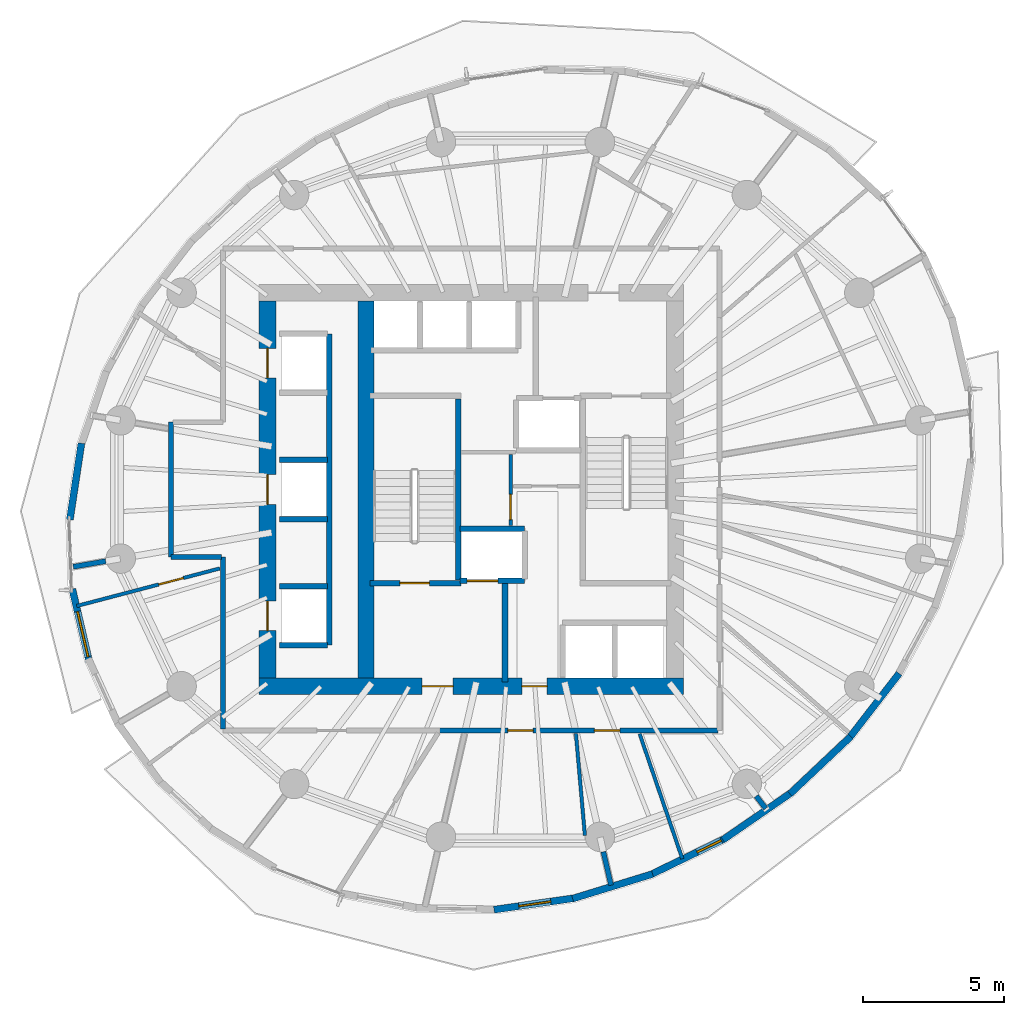
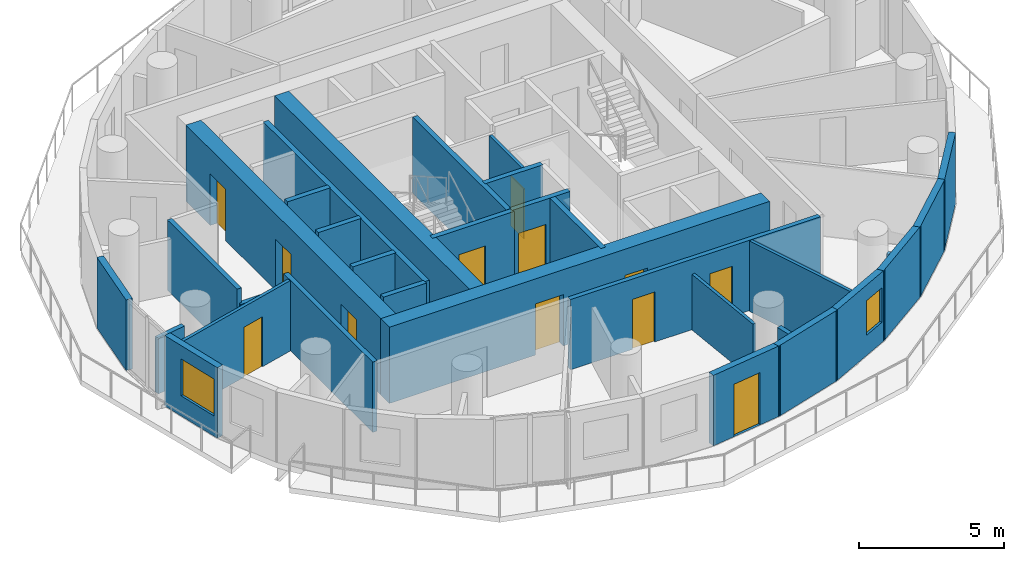
# One storey, part 6 of 14: 32 walls, 12 doors, 2 windows, 14 openings.
"""IFC4 building model written with IfcOpenShell, lengths in metres."""

import ifcopenshell
import ifcopenshell.guid

model = None  # the IFC model being written
_history = None  # IfcOwnerHistory: only IFC2X3 demands one
_inside = {}  # id of a spatial element -> (the spatial element, [elements in it])
_under = {}  # id of a project, library or spatial element -> (it, [spatial elements below it])
_declared = {}  # id of a project -> (the project, [libraries it declares])
_typed = {}  # id of a type object -> (the type object, [elements of that type])
_made_of = {}  # id of a material, layer set ... -> (it, [elements and type objects made of it])


def new_model(schema):
    """Start an empty IFC model of exactly this schema.

    Asked for "IFC4X3", IfcOpenShell would pick the latest addendum, in which some entities
    have other attributes; the version numbers below select the first issue.
    IFC2X3 requires an IfcOwnerHistory on every rooted entity: one is made here for all.
    """
    global model, _history
    if schema == "IFC4X3":
        model = ifcopenshell.file(schema_version=(4, 3, 0, 0))
    else:
        model = ifcopenshell.file(schema=schema)
    _inside.clear()
    _under.clear()
    _declared.clear()
    _typed.clear()
    _made_of.clear()
    _history = None
    if model.schema == "IFC2X3":
        org = make("IfcOrganization", Name="unknown")
        user = make(
            "IfcPersonAndOrganization",
            ThePerson=make("IfcPerson", FamilyName="unknown"),
            TheOrganization=org,
        )
        app = make(
            "IfcApplication",
            ApplicationDeveloper=org,
            Version="unknown",
            ApplicationFullName="unknown",
            ApplicationIdentifier="unknown",
        )
        _history = make(
            "IfcOwnerHistory",
            OwningUser=user,
            OwningApplication=app,
            ChangeAction="ADDED",
            CreationDate=0,
        )
    return model


def make(cls, **values):
    """One entity of the class cls with the attributes given. An attribute that is None is left unset."""
    return model.create_entity(
        cls, **{name: value for name, value in values.items() if value is not None}
    )


def rooted(cls, **values):
    """An entity with a GlobalId (a new one), such as an element, a storey or a relation."""
    return make(cls, GlobalId=ifcopenshell.guid.new(), OwnerHistory=_history, **values)


def si_unit(unit_type, name, prefix=None):
    """IfcSIUnit, for example si_unit("LENGTHUNIT", "METRE", prefix="MILLI")."""
    return make("IfcSIUnit", UnitType=unit_type, Prefix=prefix, Name=name)


def assignment(units):
    """IfcUnitAssignment: the units of a project."""
    return None if units is None else make("IfcUnitAssignment", Units=units)


def point(xyz):
    """IfcCartesianPoint."""
    return None if xyz is None else make("IfcCartesianPoint", Coordinates=xyz)


def direction(xyz):
    """IfcDirection."""
    return None if xyz is None else make("IfcDirection", DirectionRatios=xyz)


def frame(location, z_axis=None, x_axis=None):
    """IfcAxis2Placement3D, a coordinate frame: its origin and axes. An axis left out is left unset."""
    return make(
        "IfcAxis2Placement3D",
        Location=point(location),
        Axis=direction(z_axis),
        RefDirection=direction(x_axis),
    )


def frame_2d(location, x_axis=None):
    """IfcAxis2Placement2D, a coordinate frame in the plane: its origin and x axis."""
    return make(
        "IfcAxis2Placement2D", Location=point(location), RefDirection=direction(x_axis)
    )


def origin():
    """The frame at (0, 0, 0) with its axes left unset."""
    return frame((0.0, 0.0, 0.0))


def place(relative_to, where):
    """IfcLocalPlacement: puts the frame where relative to a parent placement (None: the world)."""
    return make(
        "IfcLocalPlacement", PlacementRelTo=relative_to, RelativePlacement=where
    )


def context(
    kind, dimensions, precision=None, world=None, true_north=None, identifier=None
):
    """IfcGeometricRepresentationContext, for example the 3D "Model" context."""
    return make(
        "IfcGeometricRepresentationContext",
        ContextIdentifier=identifier,
        ContextType=kind,
        CoordinateSpaceDimension=dimensions,
        Precision=precision,
        WorldCoordinateSystem=world,
        TrueNorth=true_north,
    )


def subcontext(parent, identifier, kind, view, scale=None):
    """IfcGeometricRepresentationSubContext, for example "Body" below "Model"."""
    return make(
        "IfcGeometricRepresentationSubContext",
        ContextIdentifier=identifier,
        ContextType=kind,
        ParentContext=parent,
        TargetScale=scale,
        TargetView=view,
    )


def project(units=None, contexts=None):
    """IfcProject with its units and contexts."""
    return rooted(
        "IfcProject",
        Name="project",
        RepresentationContexts=contexts,
        UnitsInContext=assignment(units),
    )


def spatial(cls, under=None, at=None, **own):
    """A site, building, storey or space (cls), placed at a placement, below another one or the project."""
    s = rooted(cls, ObjectPlacement=at, **own)
    if under is not None:
        _under.setdefault(under.id(), (under, []))[1].append(s)
    return s


def profile(cls, at=None, kind="AREA", **sizes):
    """A parametric profile (cls). Its sizes go by their IFC names, for example OverallWidth=200.0."""
    return make(cls, ProfileType=kind, Position=at, **sizes)


def rectangle(**sizes):
    """IfcRectangleProfileDef."""
    return profile("IfcRectangleProfileDef", **sizes)


def extrude(swept, where, along, depth):
    """IfcExtrudedAreaSolid: the profile swept, set in the frame where, extruded along a direction by depth."""
    return make(
        "IfcExtrudedAreaSolid",
        SweptArea=swept,
        Position=where,
        ExtrudedDirection=direction(along),
        Depth=depth,
    )


def shape(context_of_items, identifier, shape_type, items):
    """IfcShapeRepresentation: the items that make up one representation, for example the "Body"."""
    return make(
        "IfcShapeRepresentation",
        ContextOfItems=context_of_items,
        RepresentationIdentifier=identifier,
        RepresentationType=shape_type,
        Items=items,
    )


def material(Name=None, Category=None):
    """IfcMaterial."""
    return make("IfcMaterial", Name=Name, Category=Category)


def layer(
    of_material, thickness, ventilated=None, Name=None, Category=None, Priority=None
):
    """IfcMaterialLayer: one layer of a wall or slab, of a material (None: an air gap)."""
    return make(
        "IfcMaterialLayer",
        Material=of_material,
        LayerThickness=thickness,
        IsVentilated=ventilated,
        Name=Name,
        Category=Category,
        Priority=Priority,
    )


def layer_set(layers, Name=None):
    """IfcMaterialLayerSet."""
    return make("IfcMaterialLayerSet", MaterialLayers=layers, LayerSetName=Name)


def made_of(thing, what):
    """Note that an element or type object is made of a material, layer set ...; save() writes the relation."""
    if what is not None:
        _made_of.setdefault(what.id(), (what, []))[1].append(thing)
    return thing


def type_object(cls, material=None, **own):
    """A type object (cls), such as IfcWallType, which elements share."""
    return made_of(rooted(cls, **own), material)


def element(
    cls,
    number,
    at=None,
    inside=None,
    cuts=None,
    type_object=None,
    material=None,
    context=None,
    identifier="Body",
    shape_type=None,
    held_by="IfcProductDefinitionShape",
    body=None,
    shapes=None,
    **own,
):
    """One element of the class cls, such as IfcWall. Its Tag is "e" and its number.

    at: its placement. inside: the storey or other place that contains it. cuts: it is an
    opening in that element (IfcRelVoidsElement). A single representation is given by context,
    identifier, shape_type and body (its items); several are given by shapes. held_by: the class
    of the entity that holds the representations. save() writes the other relations.
    """
    e = rooted(cls, Tag="e%d" % number, ObjectPlacement=at, **own)
    if body is not None:
        shapes = [shape(context, identifier, shape_type, body)]
    if shapes is not None:
        e.Representation = make(held_by, Representations=shapes)
    if inside is not None:
        _inside.setdefault(inside.id(), (inside, []))[1].append(e)
    if cuts is not None:
        rooted(
            "IfcRelVoidsElement", RelatingBuildingElement=cuts, RelatedOpeningElement=e
        )
    if type_object is not None:
        _typed.setdefault(type_object.id(), (type_object, []))[1].append(e)
    return made_of(e, material)


def fill(opening, filler):
    """IfcRelFillsElement: the door or window that sits in an opening."""
    return rooted(
        "IfcRelFillsElement",
        RelatingOpeningElement=opening,
        RelatedBuildingElement=filler,
    )


def aggregate(whole, parts):
    """IfcRelAggregates: a whole, such as a stair, and the parts it consists of."""
    return rooted("IfcRelAggregates", RelatingObject=whole, RelatedObjects=parts)


def save(model, path):
    """Write the relations noted so far, then the file.

    IfcRelAggregates (storeys below a building ...), IfcRelContainedInSpatialStructure (elements
    in a storey), IfcRelDefinesByType, IfcRelAssociatesMaterial and IfcRelDeclares: one each for
    every whole, place, type object, material and project.
    """
    for whole, parts in _under.values():
        aggregate(whole, parts)
    for where, things in _inside.values():
        rooted(
            "IfcRelContainedInSpatialStructure",
            RelatedElements=things,
            RelatingStructure=where,
        )
    for kind, things in _typed.values():
        rooted("IfcRelDefinesByType", RelatedObjects=things, RelatingType=kind)
    for what, things in _made_of.values():
        rooted("IfcRelAssociatesMaterial", RelatedObjects=things, RelatingMaterial=what)
    for by, libraries in _declared.values():
        rooted("IfcRelDeclares", RelatingContext=by, RelatedDefinitions=libraries)
    model.write(path)


model = new_model("IFC4")

# Units and contexts
model_context = context("Model", 3, precision=1e-05, world=origin(), true_north=direction((0.0, 1.0)))
body_context = subcontext(model_context, "Body", "Model", "MODEL_VIEW")
ifc_project = project(units=[si_unit("LENGTHUNIT", "METRE"), si_unit("AREAUNIT", "SQUARE_METRE"), si_unit("VOLUMEUNIT", "CUBIC_METRE"), si_unit("PLANEANGLEUNIT", "RADIAN"), si_unit("MASSUNIT", "GRAM", prefix="KILO")], contexts=[model_context])

# Site, building, storey
site_placement = place(None, origin())
site = spatial("IfcSite", under=ifc_project, at=site_placement, CompositionType="ELEMENT")
building_placement = place(site_placement, origin())
building = spatial("IfcBuilding", under=site, at=building_placement, Name="Veldorim Arch Residences", CompositionType="ELEMENT")
storey_placement = place(building_placement, frame((0.0, 0.0, 129.760009765625)))
storey = spatial("IfcBuildingStorey", under=building, at=storey_placement, Name="L38", CompositionType="ELEMENT", Elevation=129.760009765625)

# Wall, opening, door
ifc_material_1 = material(Name="Acoustic Gypsum Board", Category="gypsum")
ifc_layer_1 = layer(ifc_material_1, 0.125, Name="Acoustic Stud Room Partition Wall 125")
ifc_layer_set_1 = layer_set([ifc_layer_1], Name="Acoustic Gypsum Board")
wall_type_1 = type_object("IfcWallType", Name="Acoustic Stud Room Partition Wall 125", PredefinedType="PARTITIONING", material=ifc_layer_set_1)
wall_1_placement = place(storey_placement, frame((31.64990234375, 22.719970703125, 0.0), z_axis=(0.0, 0.0, 1.0), x_axis=(0.0, 1.0, 0.0)))
wall_1 = element("IfcWall", 1, at=wall_1_placement, inside=storey, type_object=wall_type_1, Name="L38 interior wall WL-CA-L38-1", PredefinedType="PARTITIONING", context=body_context, shape_type="SweptSolid", body=[
    extrude(rectangle(XDim=2.52001953125, YDim=0.125, at=frame_2d((1.260009765625, 0.0))), origin(), (0.0, 0.0, 1.0), 2.955078125),
])
opening_1_placement = place(wall_1_placement, frame((0.2099609375, 0.0, 0.0)))
opening_1 = element("IfcOpeningElement", 2, at=opening_1_placement, cuts=wall_1, Name="Opening DR-SVC", PredefinedType="OPENING", context=body_context, shape_type="SweptSolid", body=[
    extrude(rectangle(XDim=0.89990234375, YDim=2.10009765625, at=frame_2d((0.449951171875, 1.050048828125))), frame((0.0, 0.072509765625, 0.0), z_axis=(0.0, -1.0, 0.0), x_axis=(1.0, 0.0, 0.0)), (0.0, 0.0, 1.0), 0.14501953125),
])
ifc_material_2 = material(Name="Fire-Rated Steel", Category="steel")
door_type_1 = type_object("IfcDoorType", Name="Riser, Shelter & Plant Room Rated Steel Door 900x2100", OperationType="SINGLE_SWING_LEFT", PredefinedType="DOOR", material=ifc_material_2)
door_1_placement = place(opening_1_placement, origin())
door_1 = element("IfcDoor", 3, at=door_1_placement, inside=storey, type_object=door_type_1, Name="L38 interior door DR-L38-CA1", OperationType="SINGLE_SWING_LEFT", OverallHeight=2.10009765625, OverallWidth=0.89990234375, PredefinedType="DOOR", context=body_context, shape_type="SweptSolid", body=[
    extrude(rectangle(XDim=0.89990234375, YDim=2.10009765625, at=frame_2d((0.449951171875, 1.050048828125))), frame((0.0, 0.02490234375, 0.0), z_axis=(0.0, -1.0, 0.0), x_axis=(1.0, 0.0, 0.0)), (0.0, 0.0, 1.0), 0.050048828125),
])
fill(opening_1, door_1)

# Walls
wall_2_placement = place(storey_placement, frame((37.760498046875, 10.858154296875, 0.0), z_axis=(0.0, 0.0, 1.0), x_axis=(-0.323447862149, 0.946245993635, 0.0)))
element("IfcWall", 4, at=wall_2_placement, inside=storey, type_object=wall_type_1, Name="L38 interior wall WL-RES-L38-015", PredefinedType="PARTITIONING", context=body_context, shape_type="SweptSolid", body=[
    extrude(rectangle(XDim=4.700927734375, YDim=0.125, at=frame_2d((2.3505859375, 0.0))), origin(), (0.0, 0.0, 1.0), 2.955078125),
])
wall_3_placement = place(storey_placement, frame((34.293212890625, 11.68896484375, 0.0), z_axis=(0.0, 0.0, 1.0), x_axis=(-0.088065804539, 0.996114659098, 0.0)))
element("IfcWall", 5, at=wall_3_placement, inside=storey, type_object=wall_type_1, Name="L38 interior wall WL-RES-L38-016", PredefinedType="PARTITIONING", context=body_context, shape_type="SweptSolid", body=[
    extrude(rectangle(XDim=3.6455078125, YDim=0.125, at=frame_2d((1.82275390625, 0.0))), origin(), (0.0, 0.0, 1.0), 2.335693359375),
])

# Wall, opening, door
wall_4_placement = place(storey_placement, frame((16.20947265625, 19.85400390625, 0.0), z_axis=(0.0, 0.0, 1.0), x_axis=(0.967214885104, 0.253959378707, 0.0)))
wall_4 = element("IfcWall", 6, at=wall_4_placement, inside=storey, type_object=wall_type_1, Name="L38 interior wall WL-RES-L38-032", PredefinedType="PARTITIONING", context=body_context, shape_type="SweptSolid", body=[
    extrude(rectangle(XDim=5.26708984375, YDim=0.125, at=frame_2d((2.633544921875, 0.0))), origin(), (0.0, 0.0, 1.0), 2.955078125),
])
opening_2_placement = place(wall_4_placement, frame((3.023681640625, 0.0, 0.0)))
opening_2 = element("IfcOpeningElement", 7, at=opening_2_placement, cuts=wall_4, Name="Opening DR-INT", PredefinedType="OPENING", context=body_context, shape_type="SweptSolid", body=[
    extrude(rectangle(XDim=0.89990234375, YDim=2.10009765625, at=frame_2d((0.449951171875, 1.050048828125))), frame((0.0, 0.072509765625, 0.0), z_axis=(0.0, -1.0, 0.0), x_axis=(1.0, 0.0, 0.0)), (0.0, 0.0, 1.0), 0.14501953125),
])
ifc_material_3 = material(Name="Engineered Timber", Category="wood")
door_type_2 = type_object("IfcDoorType", Name="Apartment Internal Room Timber Door 900x2100", OperationType="SINGLE_SWING_LEFT", PredefinedType="DOOR", material=ifc_material_3)
door_2_placement = place(opening_2_placement, origin())
door_2 = element("IfcDoor", 8, at=door_2_placement, inside=storey, type_object=door_type_2, Name="L38 interior door DR-RES-L38-019", OperationType="SINGLE_SWING_LEFT", OverallHeight=2.10009765625, OverallWidth=0.89990234375, PredefinedType="DOOR", context=body_context, shape_type="SweptSolid", body=[
    extrude(rectangle(XDim=0.89990234375, YDim=2.10009765625, at=frame_2d((0.449951171875, 1.050048828125))), frame((0.0, 0.02490234375, 0.0), z_axis=(0.0, -1.0, 0.0), x_axis=(1.0, 0.0, 0.0)), (0.0, 0.0, 1.0), 0.050048828125),
])
fill(opening_2, door_2)

# Walls
ifc_material_4 = material(Name="Lightweight Masonry Block & Gypsum", Category="masonry")
ifc_layer_2 = layer(ifc_material_4, 0.179931640625, Name="Compartment & Corridor Fire-Rated Party Wall 180")
ifc_layer_set_2 = layer_set([ifc_layer_2], Name="Lightweight Masonry Block & Gypsum")
wall_type_2 = type_object("IfcWallType", Name="Compartment & Corridor Fire-Rated Party Wall 180", PredefinedType="PARTITIONING", material=ifc_layer_set_2)
wall_5_placement = place(storey_placement, frame((17.24169921875, 21.44921875, 0.0), z_axis=(0.0, 0.0, 1.0), x_axis=(-0.98537549431, -0.170396992969, 0.0)))
element("IfcWall", 9, at=wall_5_placement, inside=storey, type_object=wall_type_2, Name="L38 interior wall WL-PIER-L38-09", PredefinedType="PARTITIONING", context=body_context, shape_type="SweptSolid", body=[
    extrude(rectangle(XDim=1.167724609375, YDim=0.179931640625, at=frame_2d((0.583984375, 0.0))), origin(), (0.0, 0.0, 1.0), 2.335693359375),
])
wall_6_placement = place(storey_placement, frame((34.950439453125, 11.11083984375, 0.0), z_axis=(0.0, 0.0, 1.0), x_axis=(0.223107064029, -0.974793946422, 0.0)))
element("IfcWall", 10, at=wall_6_placement, inside=storey, type_object=wall_type_2, Name="L38 interior wall WL-PIER-L38-13", PredefinedType="PARTITIONING", context=body_context, shape_type="SweptSolid", body=[
    extrude(rectangle(XDim=1.22119140625, YDim=0.179931640625, at=frame_2d((0.610595703125, 0.0))), origin(), (0.0, 0.0, 1.0), 2.335693359375),
])
wall_7_placement = place(storey_placement, frame((40.387939453125, 13.091552734375, 0.0), z_axis=(0.0, 0.0, 1.0), x_axis=(0.609498830183, -0.792786967605, 0.0)))
element("IfcWall", 11, at=wall_7_placement, inside=storey, type_object=wall_type_2, Name="L38 interior wall WL-PIER-L38-14", PredefinedType="PARTITIONING", context=body_context, shape_type="SweptSolid", body=[
    extrude(rectangle(XDim=0.556884765625, YDim=0.179931640625, at=frame_2d((0.2783203125, 0.0))), origin(), (0.0, 0.0, 1.0), 2.335693359375),
])

# Wall, openings, doors
wall_8_placement = place(storey_placement, frame((39.02001953125, 15.419921875, 0.0), z_axis=(0.0, 0.0, 1.0), x_axis=(-1.0, 0.0, 0.0)))
wall_8 = element("IfcWall", 12, at=wall_8_placement, inside=storey, type_object=wall_type_2, Name="L38 interior wall WL-RES-L38-002", PredefinedType="PARTITIONING", context=body_context, shape_type="SweptSolid", body=[
    extrude(rectangle(XDim=9.92236328125, YDim=0.179931640625, at=frame_2d((4.961181640625, 0.0))), origin(), (0.0, 0.0, 1.0), 2.955078125),
])
opening_3_placement = place(wall_8_placement, frame((3.4873046875, 0.0, 0.0)))
opening_3 = element("IfcOpeningElement", 13, at=opening_3_placement, cuts=wall_8, Name="Opening DR-INT", PredefinedType="OPENING", context=body_context, shape_type="SweptSolid", body=[
    extrude(rectangle(XDim=0.89990234375, YDim=2.10009765625, at=frame_2d((0.449951171875, 1.050048828125))), frame((0.0, 0.099853515625, 0.0), z_axis=(0.0, -1.0, 0.0), x_axis=(1.0, 0.0, 0.0)), (0.0, 0.0, 1.0), 0.199951171875),
])
opening_4_placement = place(wall_8_placement, frame((6.570556640625, 0.0, 0.0)))
opening_4 = element("IfcOpeningElement", 14, at=opening_4_placement, cuts=wall_8, Name="Opening DR-INT", PredefinedType="OPENING", context=body_context, shape_type="SweptSolid", body=[
    extrude(rectangle(XDim=0.89990234375, YDim=2.10009765625, at=frame_2d((0.449951171875, 1.050048828125))), frame((0.0, 0.099853515625, 0.0), z_axis=(0.0, -1.0, 0.0), x_axis=(1.0, 0.0, 0.0)), (0.0, 0.0, 1.0), 0.199951171875),
])
door_3_placement = place(opening_3_placement, origin())
door_3 = element("IfcDoor", 15, at=door_3_placement, inside=storey, type_object=door_type_2, Name="L38 interior door DR-RES-L38-003", OperationType="SINGLE_SWING_LEFT", OverallHeight=2.10009765625, OverallWidth=0.89990234375, PredefinedType="DOOR", context=body_context, shape_type="SweptSolid", body=[
    extrude(rectangle(XDim=0.89990234375, YDim=2.10009765625, at=frame_2d((0.449951171875, 1.050048828125))), frame((0.0, 0.02490234375, 0.0), z_axis=(0.0, -1.0, 0.0), x_axis=(1.0, 0.0, 0.0)), (0.0, 0.0, 1.0), 0.050048828125),
])
fill(opening_3, door_3)
door_4_placement = place(opening_4_placement, origin())
door_4 = element("IfcDoor", 16, at=door_4_placement, inside=storey, type_object=door_type_2, Name="L38 interior door DR-RES-L38-004", OperationType="SINGLE_SWING_RIGHT", OverallHeight=2.10009765625, OverallWidth=0.89990234375, PredefinedType="DOOR", context=body_context, shape_type="SweptSolid", body=[
    extrude(rectangle(XDim=0.89990234375, YDim=2.10009765625, at=frame_2d((0.449951171875, 1.050048828125))), frame((0.0, 0.02490234375, 0.0), z_axis=(0.0, -1.0, 0.0), x_axis=(1.0, 0.0, 0.0)), (0.0, 0.0, 1.0), 0.050048828125),
])
fill(opening_4, door_4)

# Walls
wall_9_placement = place(storey_placement, frame((19.570068359375, 21.60009765625, 0.0), z_axis=(0.0, 0.0, 1.0), x_axis=(0.0, 1.0, 0.0)))
element("IfcWall", 17, at=wall_9_placement, inside=storey, type_object=wall_type_2, Name="L38 interior wall WL-RES-L38-008", PredefinedType="PARTITIONING", context=body_context, shape_type="SweptSolid", body=[
    extrude(rectangle(XDim=4.7998046875, YDim=0.179931640625, at=frame_2d((2.39990234375, 0.0))), origin(), (0.0, 0.0, 1.0), 2.955078125),
])
wall_10_placement = place(storey_placement, frame((21.419921875, 15.47998046875, 0.0), z_axis=(0.0, 0.0, 1.0), x_axis=(0.0, 1.0, 0.0)))
element("IfcWall", 18, at=wall_10_placement, inside=storey, type_object=wall_type_2, Name="L38 interior wall WL-RES-L38-011", PredefinedType="PARTITIONING", context=body_context, shape_type="SweptSolid", body=[
    extrude(rectangle(XDim=6.1201171875, YDim=0.179931640625, at=frame_2d((3.06005859375, 0.0))), origin(), (0.0, 0.0, 1.0), 2.955078125),
])
wall_11_placement = place(storey_placement, frame((21.360107421875, 21.60009765625, 0.0), z_axis=(0.0, 0.0, 1.0), x_axis=(-1.0, 0.0, 0.0)))
element("IfcWall", 19, at=wall_11_placement, inside=storey, type_object=wall_type_2, Name="L38 interior wall WL-RES-L38-012", PredefinedType="PARTITIONING", context=body_context, shape_type="SweptSolid", body=[
    extrude(rectangle(XDim=1.7900390625, YDim=0.179931640625, at=frame_2d((0.89501953125, 0.0))), origin(), (0.0, 0.0, 1.0), 2.335693359375),
])
ifc_material_5 = material(Name="Concrete C50/60", Category="concrete")
ifc_layer_3 = layer(ifc_material_5, 0.199951171875, Name="Core Stair & Lift Shaft Enclosure Wall 200")
ifc_layer_set_3 = layer_set([ifc_layer_3], Name="Concrete C50/60")
wall_type_3 = type_object("IfcWallType", Name="Core Stair & Lift Shaft Enclosure Wall 200", PredefinedType="SHEAR", material=ifc_layer_set_3)
wall_12_placement = place(storey_placement, frame((29.7900390625, 20.780029296875, 0.0), z_axis=(0.0, 0.0, 1.0), x_axis=(0.0, 1.0, 0.0)))
element("IfcWall", 20, at=wall_12_placement, inside=storey, type_object=wall_type_3, Name="L38 shaft wall WL-SHF-L38-ST1-E", PredefinedType="SHEAR", context=body_context, shape_type="SweptSolid", body=[
    extrude(rectangle(XDim=6.43994140625, YDim=0.199951171875, at=frame_2d((3.219970703125, 0.0))), origin(), (0.0, 0.0, 1.0), 3.199951171875),
])

# Wall, opening, door
wall_13_placement = place(storey_placement, frame((26.64990234375, 20.669921875, 0.0), z_axis=(0.0, 0.0, 1.0), x_axis=(1.0, 0.0, 0.0)))
wall_13 = element("IfcWall", 21, at=wall_13_placement, inside=storey, type_object=wall_type_3, Name="L38 shaft wall WL-SHF-L38-ST1-S", PredefinedType="SHEAR", context=body_context, shape_type="SweptSolid", body=[
    extrude(rectangle(XDim=3.239990234375, YDim=0.199951171875, at=frame_2d((1.6201171875, 0.0))), origin(), (0.0, 0.0, 1.0), 3.199951171875),
])
opening_5_placement = place(wall_13_placement, frame((1.054931640625, 0.0, 0.0)))
opening_5 = element("IfcOpeningElement", 22, at=opening_5_placement, cuts=wall_13, Name="Opening DR-ST", PredefinedType="OPENING", context=body_context, shape_type="SweptSolid", body=[
    extrude(rectangle(XDim=1.050048828125, YDim=2.14990234375, at=frame_2d((0.52490234375, 1.074951171875))), frame((0.0, 0.10986328125, 0.0), z_axis=(0.0, -1.0, 0.0), x_axis=(1.0, 0.0, 0.0)), (0.0, 0.0, 1.0), 0.219970703125),
])
ifc_material_6 = material(Name="Fire-Rated Steel", Category="steel")
door_type_3 = type_object("IfcDoorType", Name="Exit Staircase Self-Closing Fire Door 1050x2150", OperationType="SINGLE_SWING_LEFT", PredefinedType="DOOR", material=ifc_material_6)
door_5_placement = place(opening_5_placement, origin())
door_5 = element("IfcDoor", 23, at=door_5_placement, inside=storey, type_object=door_type_3, Name="L38 interior door DR-L38-ST1", OperationType="SINGLE_SWING_LEFT", OverallHeight=2.14990234375, OverallWidth=1.050048828125, PredefinedType="DOOR", context=body_context, shape_type="SweptSolid", body=[
    extrude(rectangle(XDim=1.050048828125, YDim=2.14990234375, at=frame_2d((0.52490234375, 1.074951171875))), frame((0.0, 0.02490234375, 0.0), z_axis=(0.0, -1.0, 0.0), x_axis=(1.0, 0.0, 0.0)), (0.0, 0.0, 1.0), 0.050048828125),
])
fill(opening_5, door_5)

# Wall
wall_14_placement = place(storey_placement, frame((31.449951171875, 17.14990234375, 0.0), z_axis=(0.0, 0.0, 1.0), x_axis=(0.0, 1.0, 0.0)))
element("IfcWall", 24, at=wall_14_placement, inside=storey, type_object=wall_type_3, Name="L38 shaft wall WL-FFL1-L38-E", PredefinedType="SHEAR", context=body_context, shape_type="SweptSolid", body=[
    extrude(rectangle(XDim=3.5, YDim=0.199951171875, at=frame_2d((1.75, 0.0))), origin(), (0.0, 0.0, 1.0), 3.199951171875),
])

# Wall, opening, door
wall_15_placement = place(storey_placement, frame((29.85009765625, 20.75, 0.0), z_axis=(0.0, 0.0, 1.0), x_axis=(1.0, 0.0, 0.0)))
wall_15 = element("IfcWall", 25, at=wall_15_placement, inside=storey, type_object=wall_type_3, Name="L38 shaft wall WL-FL01-L38-S", PredefinedType="SHEAR", context=body_context, shape_type="SweptSolid", body=[
    extrude(rectangle(XDim=2.2998046875, YDim=0.199951171875, at=frame_2d((1.14990234375, 0.0))), origin(), (0.0, 0.0, 1.0), 3.199951171875),
])
opening_6_placement = place(wall_15_placement, frame((0.25, 0.0, 0.0)))
opening_6 = element("IfcOpeningElement", 26, at=opening_6_placement, cuts=wall_15, Name="Opening LD-FF", PredefinedType="OPENING", context=body_context, shape_type="SweptSolid", body=[
    extrude(rectangle(XDim=1.10009765625, YDim=2.14990234375, at=frame_2d((0.550048828125, 1.074951171875))), frame((0.0, 0.10986328125, 0.0), z_axis=(0.0, -1.0, 0.0), x_axis=(1.0, 0.0, 0.0)), (0.0, 0.0, 1.0), 0.219970703125),
])
ifc_material_7 = material(Name="Stainless Steel", Category="steel")
door_type_4 = type_object("IfcDoorType", Name="Firefighting Lift Bi-Parting Sliding Landing Door 1100x2150", OperationType="DOUBLE_DOOR_SLIDING", PredefinedType="DOOR", material=ifc_material_7)
door_6_placement = place(opening_6_placement, origin())
door_6 = element("IfcDoor", 27, at=door_6_placement, inside=storey, type_object=door_type_4, Name="L38 lift landing door LD-L38-FL01", OperationType="DOUBLE_DOOR_SLIDING", OverallHeight=2.14990234375, OverallWidth=1.10009765625, PredefinedType="DOOR", context=body_context, shape_type="SweptSolid", body=[
    extrude(rectangle(XDim=1.10009765625, YDim=2.14990234375, at=frame_2d((0.550048828125, 1.074951171875))), frame((0.0, 0.02490234375, 0.0), z_axis=(0.0, -1.0, 0.0), x_axis=(1.0, 0.0, 0.0)), (0.0, 0.0, 1.0), 0.050048828125),
])
fill(opening_6, door_6)

# Walls
wall_16_placement = place(storey_placement, frame((29.85009765625, 22.60009765625, 0.0), z_axis=(0.0, 0.0, 1.0), x_axis=(1.0, 0.0, 0.0)))
element("IfcWall", 28, at=wall_16_placement, inside=storey, type_object=wall_type_3, Name="L38 shaft wall WL-FL01-L38-N", PredefinedType="SHEAR", context=body_context, shape_type="SweptSolid", body=[
    extrude(rectangle(XDim=2.2998046875, YDim=0.199951171875, at=frame_2d((1.14990234375, 0.0))), origin(), (0.0, 0.0, 1.0), 3.199951171875),
])
wall_17_placement = place(storey_placement, frame((25.199951171875, 18.4599609375, 0.0), z_axis=(0.0, 0.0, 1.0), x_axis=(0.0, 1.0, 0.0)))
element("IfcWall", 29, at=wall_17_placement, inside=storey, type_object=wall_type_3, Name="L38 shaft wall WL-B2-L38-E", PredefinedType="SHEAR", context=body_context, shape_type="SweptSolid", body=[
    extrude(rectangle(XDim=11.080078125, YDim=0.199951171875, at=frame_2d((5.5400390625, 0.0))), origin(), (0.0, 0.0, 1.0), 3.199951171875),
])
for number, where, z_axis, x_axis, name in (
    (30, (23.419921875, 18.4599609375, 0.0), (0.0, 0.0, 1.0), (1.0, 0.0, 0.0), "L38 shaft wall WL-B2-L38-S"),
    (31, (23.419921875, 20.56005859375, 0.0), (0.0, 0.0, 1.0), (1.0, 0.0, 0.0), "L38 shaft wall WL-B2-L38-D1A"),
    (32, (23.419921875, 22.93994140625, 0.0), (0.0, 0.0, 1.0), (1.0, 0.0, 0.0), "L38 shaft wall WL-B2-L38-D1B"),
    (33, (23.419921875, 25.06005859375, 0.0), (0.0, 0.0, 1.0), (1.0, 0.0, 0.0), "L38 shaft wall WL-B2-L38-D2A"),
):
    element("IfcWall", number, at=place(storey_placement, frame(where, z_axis=z_axis, x_axis=x_axis)), inside=storey, type_object=wall_type_3, Name=name, PredefinedType="SHEAR", context=body_context, shape_type="SweptSolid", body=[
        extrude(rectangle(XDim=1.7099609375, YDim=0.199951171875, at=frame_2d((0.85498046875, 0.0))), origin(), (0.0, 0.0, 1.0), 3.199951171875),
    ])

# Wall, openings, doors
ifc_material_8 = material(Name="Concrete C50/60", Category="concrete")
ifc_layer_4 = layer(ifc_material_8, 0.60009765625, Name="Mid-Upper Central Core Shear Wall 600")
ifc_layer_set_4 = layer_set([ifc_layer_4], Name="Concrete C50/60")
wall_type_4 = type_object("IfcWallType", Name="Mid-Upper Central Core Shear Wall 600", PredefinedType="SHEAR", material=ifc_layer_set_4)
wall_18_placement = place(storey_placement, frame((22.699951171875, 17.0, 0.0), z_axis=(0.0, 0.0, 1.0), x_axis=(1.0, 0.0, 0.0)))
wall_18 = element("IfcWall", 34, at=wall_18_placement, inside=storey, type_object=wall_type_4, Name="L38 central core south shear wall", PredefinedType="SHEAR", context=body_context, shape_type="SweptSolid", body=[
    extrude(rectangle(XDim=15.10009765625, YDim=0.60009765625, at=frame_2d((7.550048828125, 0.0))), origin(), (0.0, 0.0, 1.0), 3.199951171875),
])
opening_7_placement = place(wall_18_placement, frame((5.800048828125, 0.0, 0.0)))
opening_7 = element("IfcOpeningElement", 35, at=opening_7_placement, cuts=wall_18, Name="Opening DR-FFL", PredefinedType="OPENING", context=body_context, shape_type="SweptSolid", body=[
    extrude(rectangle(XDim=1.10009765625, YDim=2.14990234375, at=frame_2d((0.550048828125, 1.074951171875))), frame((0.0, 0.31005859375, 0.0), z_axis=(0.0, -1.0, 0.0), x_axis=(1.0, 0.0, 0.0)), (0.0, 0.0, 1.0), 0.6201171875),
])
opening_8_placement = place(wall_18_placement, frame((9.35009765625, 0.0, 0.0)))
opening_8 = element("IfcOpeningElement", 36, at=opening_8_placement, cuts=wall_18, Name="Opening DR-SVC", PredefinedType="OPENING", context=body_context, shape_type="SweptSolid", body=[
    extrude(rectangle(XDim=0.89990234375, YDim=2.10009765625, at=frame_2d((0.449951171875, 1.050048828125))), frame((0.0, 0.31005859375, 0.0), z_axis=(0.0, -1.0, 0.0), x_axis=(1.0, 0.0, 0.0)), (0.0, 0.0, 1.0), 0.6201171875),
])
ifc_material_9 = material(Name="Fire-Rated Steel & Vision Glass", Category="steel")
door_type_5 = type_object("IfcDoorType", Name="Firefighting Lobby Smoke-Stop Fire Door 1100x2150", OperationType="SINGLE_SWING_LEFT", PredefinedType="DOOR", material=ifc_material_9)
door_7_placement = place(opening_7_placement, origin())
door_7 = element("IfcDoor", 37, at=door_7_placement, inside=storey, type_object=door_type_5, Name="L38 interior door DR-L38-FFL1", OperationType="SINGLE_SWING_RIGHT", OverallHeight=2.14990234375, OverallWidth=1.10009765625, PredefinedType="DOOR", context=body_context, shape_type="SweptSolid", body=[
    extrude(rectangle(XDim=1.10009765625, YDim=2.14990234375, at=frame_2d((0.550048828125, 1.074951171875))), frame((0.0, 0.02490234375, 0.0), z_axis=(0.0, -1.0, 0.0), x_axis=(1.0, 0.0, 0.0)), (0.0, 0.0, 1.0), 0.050048828125),
])
fill(opening_7, door_7)
door_8_placement = place(opening_8_placement, origin())
door_8 = element("IfcDoor", 38, at=door_8_placement, inside=storey, type_object=door_type_1, Name="L38 interior door DR-L38-COR-ANC", OperationType="SINGLE_SWING_LEFT", OverallHeight=2.10009765625, OverallWidth=0.89990234375, PredefinedType="DOOR", context=body_context, shape_type="SweptSolid", body=[
    extrude(rectangle(XDim=0.89990234375, YDim=2.10009765625, at=frame_2d((0.449951171875, 1.050048828125))), frame((0.0, 0.02490234375, 0.0), z_axis=(0.0, -1.0, 0.0), x_axis=(1.0, 0.0, 0.0)), (0.0, 0.0, 1.0), 0.050048828125),
])
fill(opening_8, door_8)

wall_19_placement = place(storey_placement, frame((23.0, 17.300048828125, 0.0), z_axis=(0.0, 0.0, 1.0), x_axis=(0.0, 1.0, 0.0)))
wall_19 = element("IfcWall", 39, at=wall_19_placement, inside=storey, type_object=wall_type_4, Name="L38 central core west shear wall", PredefinedType="SHEAR", context=body_context, shape_type="SweptSolid", body=[
    extrude(rectangle(XDim=13.39990234375, YDim=0.60009765625, at=frame_2d((6.699951171875, 0.0))), origin(), (0.0, 0.0, 1.0), 3.199951171875),
])
opening_9_placement = place(wall_19_placement, frame((1.675048828125, 0.0, 0.0)))
opening_9 = element("IfcOpeningElement", 40, at=opening_9_placement, cuts=wall_19, Name="Opening LD-PS", PredefinedType="OPENING", context=body_context, shape_type="SweptSolid", body=[
    extrude(rectangle(XDim=1.050048828125, YDim=2.14990234375, at=frame_2d((0.52490234375, 1.074951171875))), frame((0.0, 0.31005859375, 0.0), z_axis=(0.0, -1.0, 0.0), x_axis=(1.0, 0.0, 0.0)), (0.0, 0.0, 1.0), 0.6201171875),
])
opening_10_placement = place(wall_19_placement, frame((6.175048828125, 0.0, 0.0)))
opening_10 = element("IfcOpeningElement", 41, at=opening_10_placement, cuts=wall_19, Name="Opening LD-PS", PredefinedType="OPENING", context=body_context, shape_type="SweptSolid", body=[
    extrude(rectangle(XDim=1.050048828125, YDim=2.14990234375, at=frame_2d((0.52490234375, 1.074951171875))), frame((0.0, 0.31005859375, 0.0), z_axis=(0.0, -1.0, 0.0), x_axis=(1.0, 0.0, 0.0)), (0.0, 0.0, 1.0), 0.6201171875),
])
opening_11_placement = place(wall_19_placement, frame((10.675048828125, 0.0, 0.0)))
opening_11 = element("IfcOpeningElement", 42, at=opening_11_placement, cuts=wall_19, Name="Opening LD-PS", PredefinedType="OPENING", context=body_context, shape_type="SweptSolid", body=[
    extrude(rectangle(XDim=1.050048828125, YDim=2.14990234375, at=frame_2d((0.52490234375, 1.074951171875))), frame((0.0, 0.31005859375, 0.0), z_axis=(0.0, -1.0, 0.0), x_axis=(1.0, 0.0, 0.0)), (0.0, 0.0, 1.0), 0.6201171875),
])
ifc_material_10 = material(Name="Stainless Steel", Category="steel")
door_type_6 = type_object("IfcDoorType", Name="Passenger Lift Bi-Parting Sliding Landing Door 1050x2150", OperationType="DOUBLE_DOOR_SLIDING", PredefinedType="DOOR", material=ifc_material_10)
door_9_placement = place(opening_9_placement, origin())
door_9 = element("IfcDoor", 43, at=door_9_placement, inside=storey, type_object=door_type_6, Name="L38 lift landing door LD-L38-PL-05", OperationType="DOUBLE_DOOR_SLIDING", OverallHeight=2.14990234375, OverallWidth=1.050048828125, PredefinedType="DOOR", context=body_context, shape_type="SweptSolid", body=[
    extrude(rectangle(XDim=1.050048828125, YDim=2.14990234375, at=frame_2d((0.52490234375, 1.074951171875))), frame((0.0, 0.02490234375, 0.0), z_axis=(0.0, -1.0, 0.0), x_axis=(1.0, 0.0, 0.0)), (0.0, 0.0, 1.0), 0.050048828125),
])
fill(opening_9, door_9)
door_10_placement = place(opening_10_placement, origin())
door_10 = element("IfcDoor", 44, at=door_10_placement, inside=storey, type_object=door_type_6, Name="L38 lift landing door LD-L38-PL-06", OperationType="DOUBLE_DOOR_SLIDING", OverallHeight=2.14990234375, OverallWidth=1.050048828125, PredefinedType="DOOR", context=body_context, shape_type="SweptSolid", body=[
    extrude(rectangle(XDim=1.050048828125, YDim=2.14990234375, at=frame_2d((0.52490234375, 1.074951171875))), frame((0.0, 0.02490234375, 0.0), z_axis=(0.0, -1.0, 0.0), x_axis=(1.0, 0.0, 0.0)), (0.0, 0.0, 1.0), 0.050048828125),
])
fill(opening_10, door_10)
door_11_placement = place(opening_11_placement, origin())
door_11 = element("IfcDoor", 45, at=door_11_placement, inside=storey, type_object=door_type_6, Name="L38 lift landing door LD-L38-PL-07", OperationType="DOUBLE_DOOR_SLIDING", OverallHeight=2.14990234375, OverallWidth=1.050048828125, PredefinedType="DOOR", context=body_context, shape_type="SweptSolid", body=[
    extrude(rectangle(XDim=1.050048828125, YDim=2.14990234375, at=frame_2d((0.52490234375, 1.074951171875))), frame((0.0, 0.02490234375, 0.0), z_axis=(0.0, -1.0, 0.0), x_axis=(1.0, 0.0, 0.0)), (0.0, 0.0, 1.0), 0.050048828125),
])
fill(opening_11, door_11)

# Wall
ifc_material_11 = material(Name="Precast concrete C40/50", Category="concrete")
ifc_layer_5 = layer(ifc_material_11, 0.25, Name="Tower Terracotta Spandrel & Pier Wall 250")
ifc_layer_set_5 = layer_set([ifc_layer_5], Name="Precast concrete C40/50")
wall_type_5 = type_object("IfcWallType", Name="Tower Terracotta Spandrel & Pier Wall 250", PredefinedType="SOLIDWALL", material=ifc_layer_set_5)
wall_20_placement = place(storey_placement, frame((15.966064453125, 22.92529296875, 0.0), z_axis=(0.0, 0.0, 1.0), x_axis=(0.149576734229, 0.988750120393, 0.0)))
element("IfcWall", 46, at=wall_20_placement, inside=storey, type_object=wall_type_5, Name="L38 terracotta facade wall 15", PredefinedType="SOLIDWALL", context=body_context, shape_type="SweptSolid", body=[
    extrude(rectangle(XDim=2.751953125, YDim=0.25, at=frame_2d((1.3759765625, 0.0))), origin(), (0.0, 0.0, 1.0), 2.9599609375),
])

# Wall, opening, window
wall_21_placement = place(storey_placement, frame((16.65380859375, 17.8798828125, 0.0), z_axis=(0.0, 0.0, 1.0), x_axis=(-0.226865331245, 0.973926137589, 0.0)))
wall_21 = element("IfcWall", 47, at=wall_21_placement, inside=storey, type_object=wall_type_5, Name="L38 terracotta facade wall 17", PredefinedType="SOLIDWALL", context=body_context, shape_type="SweptSolid", body=[
    extrude(rectangle(XDim=2.6484375, YDim=0.25, at=frame_2d((1.32421875, 0.0))), origin(), (0.0, 0.0, 1.0), 2.9599609375),
])
opening_12_placement = place(wall_21_placement, frame((0.175048828125, 0.0, 0.85009765625)))
opening_12 = element("IfcOpeningElement", 48, at=opening_12_placement, cuts=wall_21, Name="Opening WN-03", PredefinedType="OPENING", context=body_context, shape_type="SweptSolid", body=[
    extrude(rectangle(XDim=1.64990234375, YDim=1.550048828125, at=frame_2d((0.824951171875, 0.77490234375))), frame((0.0, 0.135009765625, 0.0), z_axis=(0.0, -1.0, 0.0), x_axis=(1.0, 0.0, 0.0)), (0.0, 0.0, 1.0), 0.27001953125),
])
ifc_material_12 = material(Name="Laminated Low-E Glass", Category="glass")
window_type_1 = type_object("IfcWindowType", Name="Residential Wide Window 1650x1550", PartitioningType="SINGLE_PANEL", PredefinedType="WINDOW", material=ifc_material_12)
window_1_placement = place(opening_12_placement, origin())
window_1 = element("IfcWindow", 49, at=window_1_placement, inside=storey, type_object=window_type_1, Name="L38 solar-control facade window 17", OverallHeight=1.550048828125, OverallWidth=1.64990234375, PartitioningType="SINGLE_PANEL", PredefinedType="WINDOW", context=body_context, shape_type="SweptSolid", body=[
    extrude(rectangle(XDim=1.64990234375, YDim=1.550048828125, at=frame_2d((0.824951171875, 0.77490234375))), frame((0.0, 0.030029296875, 0.0), z_axis=(0.0, -1.0, 0.0), x_axis=(1.0, 0.0, 0.0)), (0.0, 0.0, 1.0), 0.06005859375),
])
fill(opening_12, window_1)

# Wall, opening, door
wall_22_placement = place(storey_placement, frame((33.9638671875, 9.4658203125, 0.0), z_axis=(0.0, 0.0, 1.0), x_axis=(-0.989856170947, -0.142073082737, 0.0)))
wall_22 = element("IfcWall", 50, at=wall_22_placement, inside=storey, type_object=wall_type_5, Name="L38 terracotta facade wall 25", PredefinedType="SOLIDWALL", context=body_context, shape_type="SweptSolid", body=[
    extrude(rectangle(XDim=2.936767578125, YDim=0.25, at=frame_2d((1.46826171875, 0.0))), origin(), (0.0, 0.0, 1.0), 2.9599609375),
])
opening_13_placement = place(wall_22_placement, frame((0.89306640625, 0.0, 0.0)))
opening_13 = element("IfcOpeningElement", 51, at=opening_13_placement, cuts=wall_22, Name="Opening BL-DR", PredefinedType="OPENING", context=body_context, shape_type="SweptSolid", body=[
    extrude(rectangle(XDim=1.14990234375, YDim=2.199951171875, at=frame_2d((0.574951171875, 1.10009765625))), frame((0.0, 0.135009765625, 0.0), z_axis=(0.0, -1.0, 0.0), x_axis=(1.0, 0.0, 0.0)), (0.0, 0.0, 1.0), 0.27001953125),
])
ifc_material_13 = material(Name="Aluminium & Low-E Glass", Category="aluminium")
door_type_7 = type_object("IfcDoorType", Name="Glazed Planted Balcony Door 1150x2200", OperationType="SINGLE_SWING_LEFT", PredefinedType="DOOR", material=ifc_material_13)
door_12_placement = place(opening_13_placement, origin())
door_12 = element("IfcDoor", 52, at=door_12_placement, inside=storey, type_object=door_type_7, Name="L38 glazed outdoor terrace door BALC-2", OperationType="SINGLE_SWING_LEFT", OverallHeight=2.199951171875, OverallWidth=1.14990234375, PredefinedType="DOOR", context=body_context, shape_type="SweptSolid", body=[
    extrude(rectangle(XDim=1.14990234375, YDim=2.199951171875, at=frame_2d((0.574951171875, 1.10009765625))), frame((0.0, 0.02490234375, 0.0), z_axis=(0.0, -1.0, 0.0), x_axis=(1.0, 0.0, 0.0)), (0.0, 0.0, 1.0), 0.050048828125),
])
fill(opening_13, door_12)

# Wall
wall_23_placement = place(storey_placement, frame((36.702392578125, 10.318603515625, 0.0), z_axis=(0.0, 0.0, 1.0), x_axis=(-0.955653025963, -0.294494981227, 0.0)))
element("IfcWall", 53, at=wall_23_placement, inside=storey, type_object=wall_type_5, Name="L38 terracotta facade wall 26", PredefinedType="SOLIDWALL", context=body_context, shape_type="SweptSolid", body=[
    extrude(rectangle(XDim=2.97705078125, YDim=0.25, at=frame_2d((1.488525390625, 0.0))), origin(), (0.0, 0.0, 1.0), 2.9599609375),
])

# Wall, opening, window
wall_24_placement = place(storey_placement, frame((39.298583984375, 11.587890625, 0.0), z_axis=(0.0, 0.0, 1.0), x_axis=(-0.899657133161, -0.436597117206, 0.0)))
wall_24 = element("IfcWall", 54, at=wall_24_placement, inside=storey, type_object=wall_type_5, Name="L38 terracotta facade wall 27", PredefinedType="SOLIDWALL", context=body_context, shape_type="SweptSolid", body=[
    extrude(rectangle(XDim=2.998291015625, YDim=0.25, at=frame_2d((1.4990234375, 0.0))), origin(), (0.0, 0.0, 1.0), 2.9599609375),
])
opening_14_placement = place(wall_24_placement, frame((0.175048828125, 0.0, 0.85009765625)))
opening_14 = element("IfcOpeningElement", 55, at=opening_14_placement, cuts=wall_24, Name="Opening WN-05", PredefinedType="OPENING", context=body_context, shape_type="SweptSolid", body=[
    extrude(rectangle(XDim=0.949951171875, YDim=1.449951171875, at=frame_2d((0.47509765625, 0.72509765625))), frame((0.0, 0.135009765625, 0.0), z_axis=(0.0, -1.0, 0.0), x_axis=(1.0, 0.0, 0.0)), (0.0, 0.0, 1.0), 0.27001953125),
])
ifc_material_14 = material(Name="Laminated Low-E Glass", Category="glass")
window_type_2 = type_object("IfcWindowType", Name="Residential Compact Casement Window 950x1450", PartitioningType="SINGLE_PANEL", PredefinedType="WINDOW", material=ifc_material_14)
window_2_placement = place(opening_14_placement, origin())
window_2 = element("IfcWindow", 56, at=window_2_placement, inside=storey, type_object=window_type_2, Name="L38 solar-control facade window 27", OverallHeight=1.449951171875, OverallWidth=0.949951171875, PartitioningType="SINGLE_PANEL", PredefinedType="WINDOW", context=body_context, shape_type="SweptSolid", body=[
    extrude(rectangle(XDim=0.949951171875, YDim=1.449951171875, at=frame_2d((0.47509765625, 0.72509765625))), frame((0.0, 0.030029296875, 0.0), z_axis=(0.0, -1.0, 0.0), x_axis=(1.0, 0.0, 0.0)), (0.0, 0.0, 1.0), 0.06005859375),
])
fill(opening_14, window_2)

# Walls
wall_25_placement = place(storey_placement, frame((41.6728515625, 13.2353515625, 0.0), z_axis=(0.0, 0.0, 1.0), x_axis=(-0.823228532994, -0.567710121863, 0.0)))
element("IfcWall", 57, at=wall_25_placement, inside=storey, type_object=wall_type_5, Name="L38 terracotta facade wall 28", PredefinedType="SOLIDWALL", context=body_context, shape_type="SweptSolid", body=[
    extrude(rectangle(XDim=2.998291015625, YDim=0.25, at=frame_2d((1.4990234375, 0.0))), origin(), (0.0, 0.0, 1.0), 2.9599609375),
])
wall_26_placement = place(storey_placement, frame((43.7529296875, 15.210693359375, 0.0), z_axis=(0.0, 0.0, 1.0), x_axis=(-0.727113217486, -0.686517566386, 0.0)))
element("IfcWall", 58, at=wall_26_placement, inside=storey, type_object=wall_type_5, Name="L38 terracotta facade wall 29", PredefinedType="SOLIDWALL", context=body_context, shape_type="SweptSolid", body=[
    extrude(rectangle(XDim=2.976806640625, YDim=0.25, at=frame_2d((1.48828125, 0.0))), origin(), (0.0, 0.0, 1.0), 2.9599609375),
])
wall_27_placement = place(storey_placement, frame((45.475341796875, 17.45361328125, 0.0), z_axis=(0.0, 0.0, 1.0), x_axis=(-0.611416743811, -0.791308767415, 0.0)))
element("IfcWall", 59, at=wall_27_placement, inside=storey, type_object=wall_type_5, Name="L38 terracotta facade wall 30", PredefinedType="SOLIDWALL", context=body_context, shape_type="SweptSolid", body=[
    extrude(rectangle(XDim=2.936767578125, YDim=0.25, at=frame_2d((1.46826171875, 0.0))), origin(), (0.0, 0.0, 1.0), 2.9599609375),
])
ifc_material_15 = material(Name="Concrete C50/60", Category="concrete")
ifc_layer_6 = layer(ifc_material_15, 0.56005859375, Name="Upper Internal Core Shear Web Wall 560")
ifc_layer_set_6 = layer_set([ifc_layer_6], Name="Concrete C50/60")
wall_type_6 = type_object("IfcWallType", Name="Upper Internal Core Shear Web Wall 560", PredefinedType="SHEAR", material=ifc_layer_set_6)
wall_28_placement = place(storey_placement, frame((26.5, 17.300048828125, 0.0), z_axis=(0.0, 0.0, 1.0), x_axis=(0.0, 1.0, 0.0)))
element("IfcWall", 60, at=wall_28_placement, inside=storey, type_object=wall_type_6, Name="L38 core west internal shear web", PredefinedType="SHEAR", context=body_context, shape_type="SweptSolid", body=[
    extrude(rectangle(XDim=13.39990234375, YDim=0.56005859375, at=frame_2d((6.699951171875, 0.0))), origin(), (0.0, 0.0, 1.0), 3.199951171875),
])

save(model, "model.ifc")
